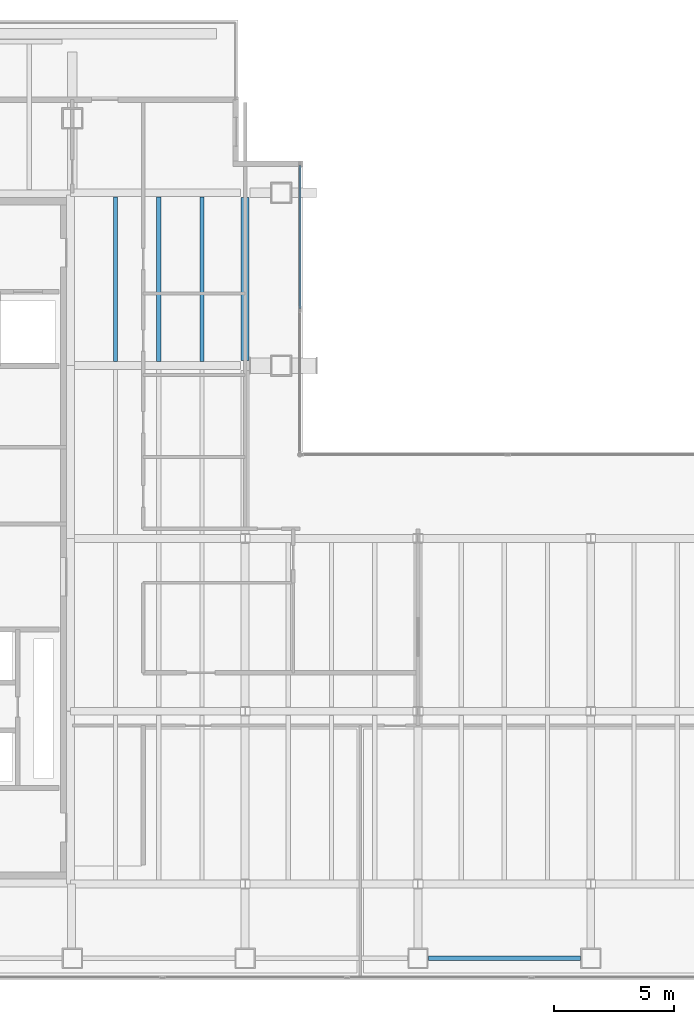
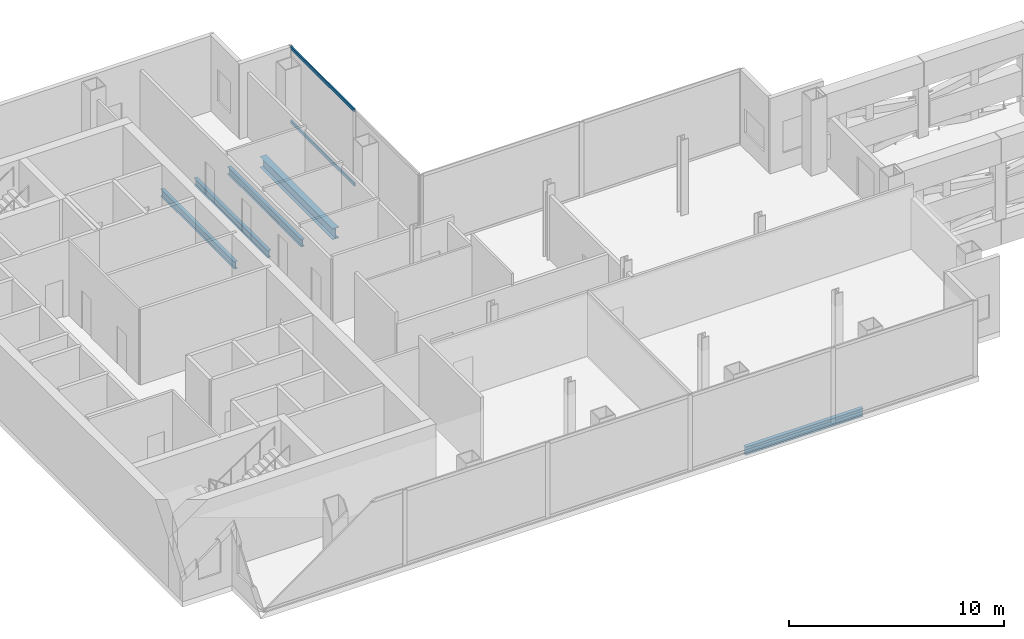
# One storey, part 7 of 20: 5 beams, 2 members, 1 element without a shape of its own.
"""IFC4 building model written with IfcOpenShell, lengths in metres."""

import ifcopenshell
import ifcopenshell.guid

model = None  # the IFC model being written
_history = None  # IfcOwnerHistory: only IFC2X3 demands one
_inside = {}  # id of a spatial element -> (the spatial element, [elements in it])
_under = {}  # id of a project, library or spatial element -> (it, [spatial elements below it])
_declared = {}  # id of a project -> (the project, [libraries it declares])
_typed = {}  # id of a type object -> (the type object, [elements of that type])
_made_of = {}  # id of a material, layer set ... -> (it, [elements and type objects made of it])


def new_model(schema):
    """Start an empty IFC model of exactly this schema.

    Asked for "IFC4X3", IfcOpenShell would pick the latest addendum, in which some entities
    have other attributes; the version numbers below select the first issue.
    IFC2X3 requires an IfcOwnerHistory on every rooted entity: one is made here for all.
    """
    global model, _history
    if schema == "IFC4X3":
        model = ifcopenshell.file(schema_version=(4, 3, 0, 0))
    else:
        model = ifcopenshell.file(schema=schema)
    _inside.clear()
    _under.clear()
    _declared.clear()
    _typed.clear()
    _made_of.clear()
    _history = None
    if model.schema == "IFC2X3":
        org = make("IfcOrganization", Name="unknown")
        user = make(
            "IfcPersonAndOrganization",
            ThePerson=make("IfcPerson", FamilyName="unknown"),
            TheOrganization=org,
        )
        app = make(
            "IfcApplication",
            ApplicationDeveloper=org,
            Version="unknown",
            ApplicationFullName="unknown",
            ApplicationIdentifier="unknown",
        )
        _history = make(
            "IfcOwnerHistory",
            OwningUser=user,
            OwningApplication=app,
            ChangeAction="ADDED",
            CreationDate=0,
        )
    return model


def make(cls, **values):
    """One entity of the class cls with the attributes given. An attribute that is None is left unset."""
    return model.create_entity(
        cls, **{name: value for name, value in values.items() if value is not None}
    )


def rooted(cls, **values):
    """An entity with a GlobalId (a new one), such as an element, a storey or a relation."""
    return make(cls, GlobalId=ifcopenshell.guid.new(), OwnerHistory=_history, **values)


def si_unit(unit_type, name, prefix=None):
    """IfcSIUnit, for example si_unit("LENGTHUNIT", "METRE", prefix="MILLI")."""
    return make("IfcSIUnit", UnitType=unit_type, Prefix=prefix, Name=name)


def assignment(units):
    """IfcUnitAssignment: the units of a project."""
    return None if units is None else make("IfcUnitAssignment", Units=units)


def point(xyz):
    """IfcCartesianPoint."""
    return None if xyz is None else make("IfcCartesianPoint", Coordinates=xyz)


def direction(xyz):
    """IfcDirection."""
    return None if xyz is None else make("IfcDirection", DirectionRatios=xyz)


def frame(location, z_axis=None, x_axis=None):
    """IfcAxis2Placement3D, a coordinate frame: its origin and axes. An axis left out is left unset."""
    return make(
        "IfcAxis2Placement3D",
        Location=point(location),
        Axis=direction(z_axis),
        RefDirection=direction(x_axis),
    )


def frame_2d(location, x_axis=None):
    """IfcAxis2Placement2D, a coordinate frame in the plane: its origin and x axis."""
    return make(
        "IfcAxis2Placement2D", Location=point(location), RefDirection=direction(x_axis)
    )


def origin():
    """The frame at (0, 0, 0) with its axes left unset."""
    return frame((0.0, 0.0, 0.0))


def origin_2d():
    """The frame at (0, 0) in the plane with its x axis left unset."""
    return frame_2d((0.0, 0.0))


def place(relative_to, where):
    """IfcLocalPlacement: puts the frame where relative to a parent placement (None: the world)."""
    return make(
        "IfcLocalPlacement", PlacementRelTo=relative_to, RelativePlacement=where
    )


def context(
    kind, dimensions, precision=None, world=None, true_north=None, identifier=None
):
    """IfcGeometricRepresentationContext, for example the 3D "Model" context."""
    return make(
        "IfcGeometricRepresentationContext",
        ContextIdentifier=identifier,
        ContextType=kind,
        CoordinateSpaceDimension=dimensions,
        Precision=precision,
        WorldCoordinateSystem=world,
        TrueNorth=true_north,
    )


def subcontext(parent, identifier, kind, view, scale=None):
    """IfcGeometricRepresentationSubContext, for example "Body" below "Model"."""
    return make(
        "IfcGeometricRepresentationSubContext",
        ContextIdentifier=identifier,
        ContextType=kind,
        ParentContext=parent,
        TargetScale=scale,
        TargetView=view,
    )


def project(units=None, contexts=None):
    """IfcProject with its units and contexts."""
    return rooted(
        "IfcProject",
        Name="project",
        RepresentationContexts=contexts,
        UnitsInContext=assignment(units),
    )


def spatial(cls, under=None, at=None, **own):
    """A site, building, storey or space (cls), placed at a placement, below another one or the project."""
    s = rooted(cls, ObjectPlacement=at, **own)
    if under is not None:
        _under.setdefault(under.id(), (under, []))[1].append(s)
    return s


def profile(cls, at=None, kind="AREA", **sizes):
    """A parametric profile (cls). Its sizes go by their IFC names, for example OverallWidth=200.0."""
    return make(cls, ProfileType=kind, Position=at, **sizes)


def hollow_rectangle(**sizes):
    """IfcRectangleHollowProfileDef."""
    return profile("IfcRectangleHollowProfileDef", **sizes)


def i_section(**sizes):
    """IfcIShapeProfileDef."""
    return profile("IfcIShapeProfileDef", **sizes)


def extrude(swept, where, along, depth):
    """IfcExtrudedAreaSolid: the profile swept, set in the frame where, extruded along a direction by depth."""
    return make(
        "IfcExtrudedAreaSolid",
        SweptArea=swept,
        Position=where,
        ExtrudedDirection=direction(along),
        Depth=depth,
    )


def shape(context_of_items, identifier, shape_type, items):
    """IfcShapeRepresentation: the items that make up one representation, for example the "Body"."""
    return make(
        "IfcShapeRepresentation",
        ContextOfItems=context_of_items,
        RepresentationIdentifier=identifier,
        RepresentationType=shape_type,
        Items=items,
    )


def material(Name=None, Category=None):
    """IfcMaterial."""
    return make("IfcMaterial", Name=Name, Category=Category)


def material_profile(
    of_material, cross_section, Name=None, Category=None, Priority=None
):
    """IfcMaterialProfile: a cross section and its material."""
    return make(
        "IfcMaterialProfile",
        Name=Name,
        Material=of_material,
        Profile=cross_section,
        Priority=Priority,
        Category=Category,
    )


def profile_set(profiles, Name=None, composite=None):
    """IfcMaterialProfileSet."""
    return make(
        "IfcMaterialProfileSet",
        Name=Name,
        MaterialProfiles=profiles,
        CompositeProfile=composite,
    )


def made_of(thing, what):
    """Note that an element or type object is made of a material, layer set ...; save() writes the relation."""
    if what is not None:
        _made_of.setdefault(what.id(), (what, []))[1].append(thing)
    return thing


def type_object(cls, material=None, **own):
    """A type object (cls), such as IfcWallType, which elements share."""
    return made_of(rooted(cls, **own), material)


def element(
    cls,
    number,
    at=None,
    inside=None,
    cuts=None,
    type_object=None,
    material=None,
    context=None,
    identifier="Body",
    shape_type=None,
    held_by="IfcProductDefinitionShape",
    body=None,
    shapes=None,
    **own,
):
    """One element of the class cls, such as IfcWall. Its Tag is "e" and its number.

    at: its placement. inside: the storey or other place that contains it. cuts: it is an
    opening in that element (IfcRelVoidsElement). A single representation is given by context,
    identifier, shape_type and body (its items); several are given by shapes. held_by: the class
    of the entity that holds the representations. save() writes the other relations.
    """
    e = rooted(cls, Tag="e%d" % number, ObjectPlacement=at, **own)
    if body is not None:
        shapes = [shape(context, identifier, shape_type, body)]
    if shapes is not None:
        e.Representation = make(held_by, Representations=shapes)
    if inside is not None:
        _inside.setdefault(inside.id(), (inside, []))[1].append(e)
    if cuts is not None:
        rooted(
            "IfcRelVoidsElement", RelatingBuildingElement=cuts, RelatedOpeningElement=e
        )
    if type_object is not None:
        _typed.setdefault(type_object.id(), (type_object, []))[1].append(e)
    return made_of(e, material)


def aggregate(whole, parts):
    """IfcRelAggregates: a whole, such as a stair, and the parts it consists of."""
    return rooted("IfcRelAggregates", RelatingObject=whole, RelatedObjects=parts)


def save(model, path):
    """Write the relations noted so far, then the file.

    IfcRelAggregates (storeys below a building ...), IfcRelContainedInSpatialStructure (elements
    in a storey), IfcRelDefinesByType, IfcRelAssociatesMaterial and IfcRelDeclares: one each for
    every whole, place, type object, material and project.
    """
    for whole, parts in _under.values():
        aggregate(whole, parts)
    for where, things in _inside.values():
        rooted(
            "IfcRelContainedInSpatialStructure",
            RelatedElements=things,
            RelatingStructure=where,
        )
    for kind, things in _typed.values():
        rooted("IfcRelDefinesByType", RelatedObjects=things, RelatingType=kind)
    for what, things in _made_of.values():
        rooted("IfcRelAssociatesMaterial", RelatedObjects=things, RelatingMaterial=what)
    for by, libraries in _declared.values():
        rooted("IfcRelDeclares", RelatingContext=by, RelatedDefinitions=libraries)
    model.write(path)


model = new_model("IFC4")

# Units and contexts
model_context = context("Model", 3, precision=1e-05, world=origin(), true_north=direction((0.0, 1.0)))
body_context = subcontext(model_context, "Body", "Model", "MODEL_VIEW")
ifc_project = project(units=[si_unit("LENGTHUNIT", "METRE"), si_unit("AREAUNIT", "SQUARE_METRE"), si_unit("VOLUMEUNIT", "CUBIC_METRE"), si_unit("PLANEANGLEUNIT", "RADIAN"), si_unit("MASSUNIT", "GRAM", prefix="KILO")], contexts=[model_context])

# Site, building, storey
site_placement = place(None, origin())
site = spatial("IfcSite", under=ifc_project, at=site_placement, CompositionType="ELEMENT")
building_placement = place(site_placement, origin())
building = spatial("IfcBuilding", under=site, at=building_placement, Name="Cobrela Telecom Tower", CompositionType="ELEMENT")
storey_placement = place(building_placement, frame((0.0, 0.0, 168.699951171875)))
storey = spatial("IfcBuildingStorey", under=building, at=storey_placement, Name="L42", CompositionType="ELEMENT", Elevation=168.699951171875)

# Beams
ifc_material_1 = material(Name="Steel ASTM A992 Grade 50", Category="steel")
ifc_material_profile_1 = material_profile(ifc_material_1, i_section(OverallWidth=0.327880859375, OverallDepth=0.6220703125, WebThickness=0.015380859375, FlangeThickness=0.0244140625, FilletRadius=0.014892578125, at=origin_2d()), Name="W24X131")
ifc_profile_set_1 = profile_set([ifc_material_profile_1], Name="Steel ASTM A992 Grade 50")
beam_type_1 = type_object("IfcBeamType", Name="BM-GIRD-06", PredefinedType="USERDEFINED", material=ifc_profile_set_1)
beam_1_placement = place(storey_placement, frame((21.60009765625, 29.00439453125, -0.61083984375), z_axis=(0.0, 1.0, 0.0), x_axis=(-1.0, 0.0, 0.0)))
element("IfcBeam", 1, at=beam_1_placement, inside=storey, type_object=beam_type_1, Name="L42 Primary Girder Y34", ObjectType="GIRDER", PredefinedType="USERDEFINED", context=body_context, shape_type="SweptSolid", body=[
    extrude(i_section(OverallWidth=0.327880859375, OverallDepth=0.6220703125, WebThickness=0.015380859375, FlangeThickness=0.0244140625, FilletRadius=0.014892578125, at=origin_2d()), origin(), (0.0, 0.0, 1.0), 6.791015625),
])
ifc_material_profile_2 = material_profile(ifc_material_1, i_section(OverallWidth=0.179931640625, OverallDepth=0.4169921875, WebThickness=0.010986328125, FlangeThickness=0.01806640625, FilletRadius=0.011962890625, at=origin_2d()), Name="W16X57")
ifc_profile_set_2 = profile_set([ifc_material_profile_2], Name="Steel ASTM A992 Grade 50")
beam_type_2 = type_object("IfcBeamType", Name="BM-JOIST-04", PredefinedType="JOIST", material=ifc_profile_set_2)
for number, where, z_axis, x_axis, name in (
    (2, (16.199951171875, 28.968994140625, -0.508544921875), (0.0, 1.0, 0.0), (-1.0, 0.0, 0.0), "L42 Secondary Composite Floor Beam J07"),
    (3, (18.0, 28.968994140625, -0.508544921875), (0.0, 1.0, 0.0), (-1.0, 0.0, 0.0), "L42 Secondary Composite Floor Beam J11"),
    (4, (19.800048828125, 28.968994140625, -0.508544921875), (0.0, 1.0, 0.0), (-1.0, 0.0, 0.0), "L42 Secondary Composite Floor Beam J15"),
):
    element("IfcBeam", number, at=place(storey_placement, frame(where, z_axis=z_axis, x_axis=x_axis)), inside=storey, type_object=beam_type_2, Name=name, PredefinedType="JOIST", context=body_context, shape_type="SweptSolid", body=[
        extrude(i_section(OverallWidth=0.179931640625, OverallDepth=0.4169921875, WebThickness=0.010986328125, FlangeThickness=0.01806640625, FilletRadius=0.011962890625, at=origin_2d()), origin(), (0.0, 0.0, 1.0), 6.862060546875),
    ])
ifc_material_profile_3 = material_profile(ifc_material_1, i_section(OverallWidth=0.193115234375, OverallDepth=0.467041015625, WebThickness=0.011474609375, FlangeThickness=0.01904296875, FilletRadius=0.012939453125, at=origin_2d()), Name="W18X65")
ifc_profile_set_3 = profile_set([ifc_material_profile_3], Name="Steel ASTM A992 Grade 50")
beam_type_3 = type_object("IfcBeamType", Name="BM-SPAND-05", PredefinedType="SPANDREL", material=ifc_profile_set_3)
beam_2_placement = place(storey_placement, frame((29.22998046875, 4.10009765625, -0.533447265625), z_axis=(1.0, 0.0, 0.0), x_axis=(0.0, 1.0, 0.0)))
element("IfcBeam", 5, at=beam_2_placement, inside=storey, type_object=beam_type_3, Name="L42 Perimeter Spandrel X04", PredefinedType="SPANDREL", context=body_context, shape_type="SweptSolid", body=[
    extrude(i_section(OverallWidth=0.193115234375, OverallDepth=0.467041015625, WebThickness=0.011474609375, FlangeThickness=0.01904296875, FilletRadius=0.012939453125, at=origin_2d()), origin(), (0.0, 0.0, 1.0), 6.340087890625),
])

# Curtain wall, members
ifc_material_2 = material(Name="Anodized Bronze Aluminium 6063-T6", Category="aluminium")
curtain_wall_type = type_object("IfcCurtainWallType", Name="CW-SYS-SKY", PredefinedType="USERDEFINED", material=ifc_material_2)
curtain_wall_placement = place(storey_placement, origin())
curtain_wall = element("IfcCurtainWall", 6, at=curtain_wall_placement, inside=storey, type_object=curtain_wall_type, Name="L42 Unitised Bronze Curtain Wall 10", ObjectType="UNITISED CURTAIN WALL", PredefinedType="USERDEFINED")
ifc_material_profile_4 = material_profile(ifc_material_2, hollow_rectangle(XDim=0.074951171875, YDim=0.179931640625, WallThickness=0.00390625, at=origin_2d()), Name="ALU 75x180x4")
ifc_profile_set_4 = profile_set([ifc_material_profile_4], Name="Anodized Bronze Aluminium 6063-T6")
member_type = type_object("IfcMemberType", Name="CW-SYS-SKY-TRN", PredefinedType="USERDEFINED", material=ifc_profile_set_4)
member_1_placement = place(storey_placement, frame((23.8798828125, 37.1298828125, 0.03759765625), z_axis=(0.0, -1.0, 0.0), x_axis=(1.0, 0.0, 0.0)))
member_1 = element("IfcMember", 7, at=member_1_placement, type_object=member_type, Name="CW-SKY transom 1.1", ObjectType="TRANSOM", PredefinedType="USERDEFINED", context=body_context, shape_type="SweptSolid", body=[
    extrude(hollow_rectangle(XDim=0.074951171875, YDim=0.179931640625, WallThickness=0.00390625, at=origin_2d()), origin(), (0.0, 0.0, 1.0), 5.94482421875),
])
member_2_placement = place(storey_placement, frame((23.8798828125, 37.1298828125, 4.25244140625), z_axis=(0.0, -1.0, 0.0), x_axis=(1.0, 0.0, 0.0)))
member_2 = element("IfcMember", 8, at=member_2_placement, type_object=member_type, Name="CW-SKY transom 1.2", ObjectType="TRANSOM", PredefinedType="USERDEFINED", context=body_context, shape_type="SweptSolid", body=[
    extrude(hollow_rectangle(XDim=0.074951171875, YDim=0.179931640625, WallThickness=0.00390625, at=origin_2d()), origin(), (0.0, 0.0, 1.0), 5.94482421875),
])
aggregate(curtain_wall, [member_1, member_2])

save(model, "model.ifc")
